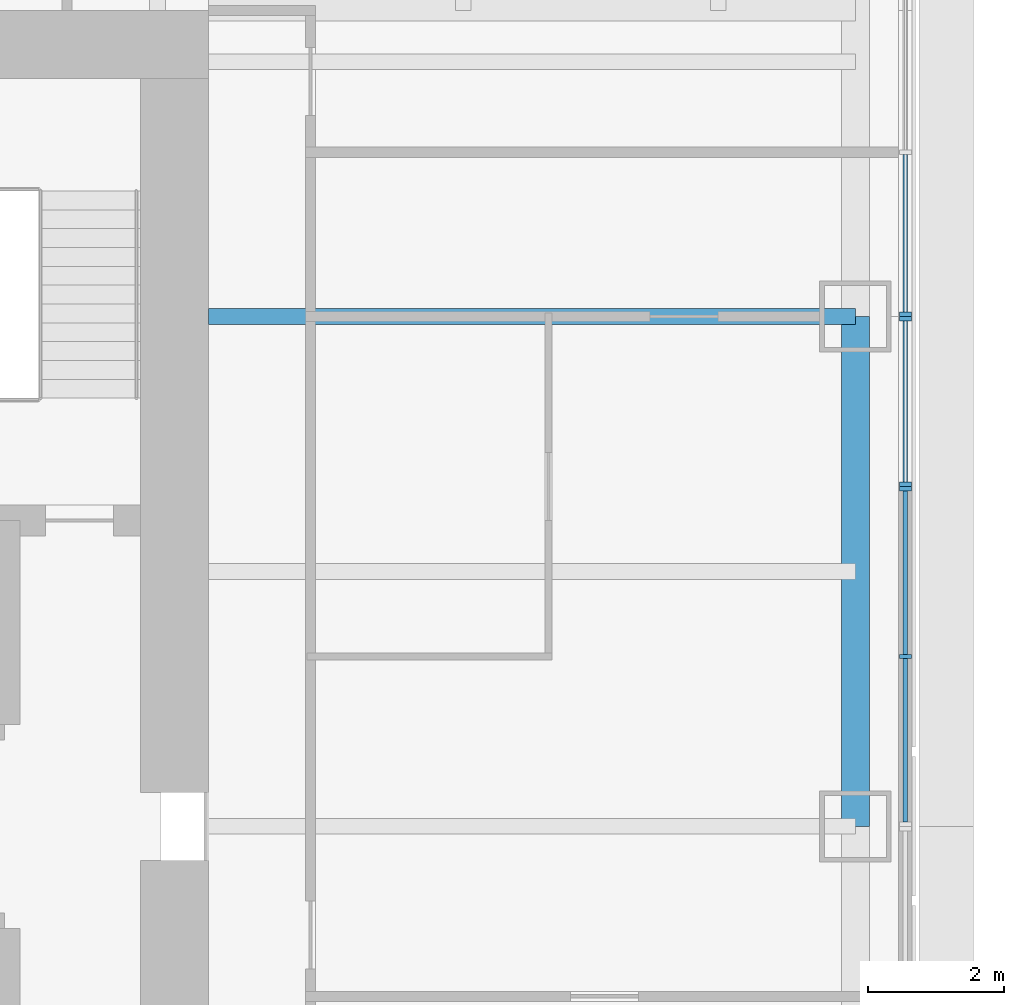
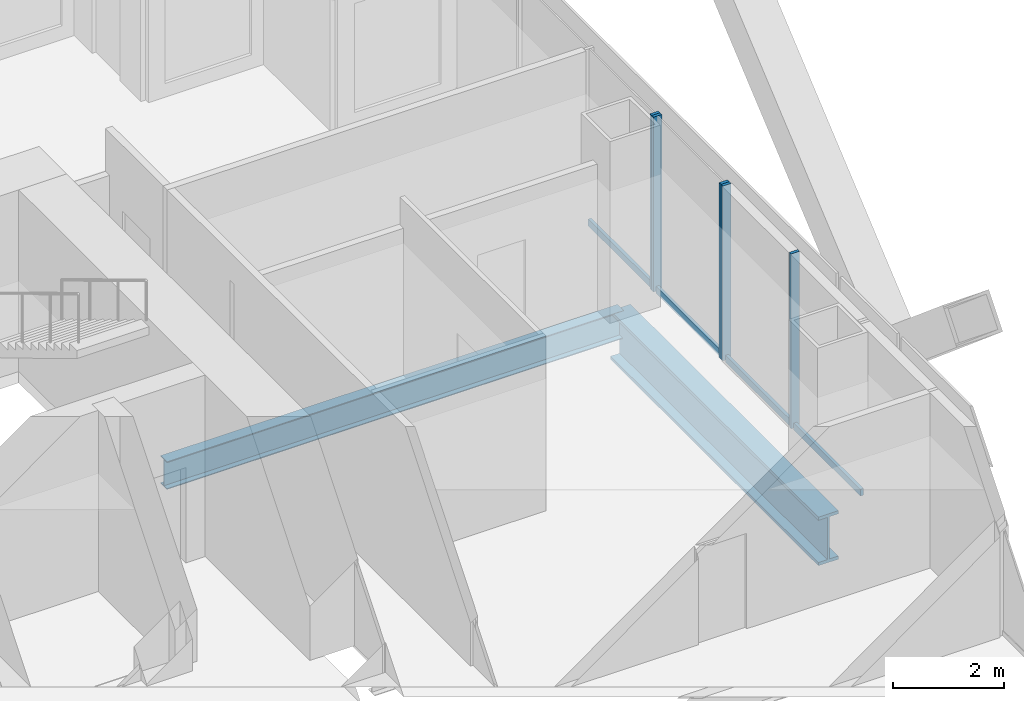
# One storey, part 8 of 19: 9 members, 2 beams, 3 elements without a shape of their own.
"""IFC4 building model written with IfcOpenShell, lengths in metres."""

from ifc_helpers import new_model, si_unit, direction, frame, origin, origin_2d, place, context, subcontext, project, spatial, rectangle, i_section, extrude, material, material_profile, profile_set, type_object, element, aggregate, save


model = new_model("IFC4")

# Units and contexts
model_context = context("Model", 3, precision=1e-05, world=origin(), true_north=direction((0.0, 1.0)))
body_context = subcontext(model_context, "Body", "Model", "MODEL_VIEW")
ifc_project = project(units=[si_unit("LENGTHUNIT", "METRE"), si_unit("AREAUNIT", "SQUARE_METRE"), si_unit("VOLUMEUNIT", "CUBIC_METRE"), si_unit("PLANEANGLEUNIT", "RADIAN"), si_unit("MASSUNIT", "GRAM", prefix="KILO")], contexts=[model_context])

# Site, building, storey
site_placement = place(None, origin())
site = spatial("IfcSite", under=ifc_project, at=site_placement, CompositionType="ELEMENT")
building_placement = place(site_placement, origin())
building = spatial("IfcBuilding", under=site, at=building_placement, Name="Tarangal Relay Tower", CompositionType="ELEMENT")
storey_placement = place(building_placement, frame((0.0, 0.0, 193.89990234375)))
storey = spatial("IfcBuildingStorey", under=building, at=storey_placement, Name="L40", CompositionType="ELEMENT", Elevation=193.89990234375)

# Beams
ifc_material_1 = material(Name="Steel ASTM A992", Category="steel")
ifc_material_profile_1 = material_profile(ifc_material_1, i_section(OverallWidth=0.41650390625, OverallDepth=1.0693359375, WebThickness=0.0390625, FlangeThickness=0.070068359375, at=origin_2d()), Name="W40X503")
ifc_profile_set_1 = profile_set([ifc_material_profile_1], Name="Steel ASTM A992")
beam_type_1 = type_object("IfcBeamType", Name="Edge girder W40X503", PredefinedType="SPANDREL", material=ifc_profile_set_1)
beam_1_placement = place(storey_placement, frame((21.514892578125, 7.5, -0.6845703125), z_axis=(0.0, -1.0, 0.0), x_axis=(1.0, 0.0, 0.0)))
element("IfcBeam", 1, at=beam_1_placement, inside=storey, type_object=beam_type_1, Name="Edge girder EG8 E L40", PredefinedType="SPANDREL", context=body_context, shape_type="SweptSolid", body=[
    extrude(i_section(OverallWidth=0.41650390625, OverallDepth=1.0693359375, WebThickness=0.0390625, FlangeThickness=0.070068359375, at=origin_2d()), origin(), (0.0, 0.0, 1.0), 7.5),
])
ifc_material_profile_2 = material_profile(ifc_material_1, i_section(OverallWidth=0.22900390625, OverallDepth=0.612060546875, WebThickness=0.011962890625, FlangeThickness=0.01953125, at=origin_2d()), Name="W24X84")
ifc_profile_set_2 = profile_set([ifc_material_profile_2], Name="Steel ASTM A992")
beam_type_2 = type_object("IfcBeamType", Name="Floor beam W24X84", PredefinedType="BEAM", material=ifc_profile_set_2)
beam_2_placement = place(storey_placement, frame((12.0, 7.5, -0.455810546875), z_axis=(1.0, 0.0, 0.0), x_axis=(0.0, 1.0, 0.0)))
element("IfcBeam", 2, at=beam_2_placement, inside=storey, type_object=beam_type_2, Name="Floor beam RB12 E L40", PredefinedType="BEAM", context=body_context, shape_type="SweptSolid", body=[
    extrude(i_section(OverallWidth=0.22900390625, OverallDepth=0.612060546875, WebThickness=0.011962890625, FlangeThickness=0.01953125, at=origin_2d()), origin(), (0.0, 0.0, 1.0), 9.514892578125),
])

# Curtain wall, member
ifc_material_2 = material(Name="Unitised curtain wall, dark glass and black aluminium", Category="aluminium")
curtain_wall_type_1 = type_object("IfcCurtainWallType", Name="Curtain wall CW-A", PredefinedType="USERDEFINED", material=ifc_material_2)
curtain_wall_1_placement = place(storey_placement, origin())
curtain_wall_1 = element("IfcCurtainWall", 3, at=curtain_wall_1_placement, inside=storey, type_object=curtain_wall_type_1, Name="Curtain wall CW-A E facade L40", ObjectType="UNITISED CURTAIN WALL", PredefinedType="USERDEFINED")
ifc_material_3 = material(Name="Black anodised aluminium mullion", Category="aluminium")
ifc_material_profile_3 = material_profile(ifc_material_3, rectangle(XDim=0.175048828125, YDim=0.06494140625, at=origin_2d()), Name="CW-AM 65X175")
ifc_profile_set_3 = profile_set([ifc_material_profile_3], Name="Black anodised aluminium mullion")
member_type_1 = type_object("IfcMemberType", Name="Mullion CW-A 65 x 175", PredefinedType="MULLION", material=ifc_profile_set_3)
member_1_placement = place(storey_placement, frame((22.25, 7.532470703125, 0.0), z_axis=(0.0, 0.0, 1.0), x_axis=(1.0, 0.0, 0.0)))
member_1 = element("IfcMember", 4, at=member_1_placement, type_object=member_type_1, Name="CW-A mullion 4", PredefinedType="MULLION", context=body_context, shape_type="SweptSolid", body=[
    extrude(rectangle(XDim=0.175048828125, YDim=0.06494140625, at=origin_2d()), origin(), (0.0, 0.0, 1.0), 3.85009765625),
])

# Curtain wall, members
curtain_wall_2_placement = place(storey_placement, origin())
curtain_wall_2 = element("IfcCurtainWall", 5, at=curtain_wall_2_placement, inside=storey, type_object=curtain_wall_type_1, Name="Curtain wall CW-A E facade L40", ObjectType="UNITISED CURTAIN WALL", PredefinedType="USERDEFINED")
member_2_placement = place(storey_placement, frame((22.25, 7.467529296875, 0.0), z_axis=(0.0, 0.0, 1.0), x_axis=(1.0, 0.0, 0.0)))
member_2 = element("IfcMember", 6, at=member_2_placement, type_object=member_type_1, Name="CW-A mullion 1", PredefinedType="MULLION", context=body_context, shape_type="SweptSolid", body=[
    extrude(rectangle(XDim=0.175048828125, YDim=0.06494140625, at=origin_2d()), origin(), (0.0, 0.0, 1.0), 3.85009765625),
])
member_3_placement = place(storey_placement, frame((22.25, 5.032470703125, 0.0), z_axis=(0.0, 0.0, 1.0), x_axis=(1.0, 0.0, 0.0)))
member_3 = element("IfcMember", 7, at=member_3_placement, type_object=member_type_1, Name="CW-A mullion 2", PredefinedType="MULLION", context=body_context, shape_type="SweptSolid", body=[
    extrude(rectangle(XDim=0.175048828125, YDim=0.06494140625, at=origin_2d()), origin(), (0.0, 0.0, 1.0), 3.85009765625),
])

ifc_material_4 = material(Name="Unitised curtain wall frame, black aluminium, with metal clad infill walls", Category="aluminium")
curtain_wall_type_2 = type_object("IfcCurtainWallType", Name="Curtain wall CW-AO", PredefinedType="USERDEFINED", material=ifc_material_4)
curtain_wall_3_placement = place(storey_placement, origin())
curtain_wall_3 = element("IfcCurtainWall", 8, at=curtain_wall_3_placement, inside=storey, type_object=curtain_wall_type_2, Name="Curtain wall CW-AO E facade L40", ObjectType="UNITISED CURTAIN WALL", PredefinedType="USERDEFINED")
ifc_material_profile_4 = material_profile(ifc_material_3, rectangle(XDim=0.175048828125, YDim=0.06494140625, at=origin_2d()), Name="CW-AOM 65X175")
ifc_profile_set_4 = profile_set([ifc_material_profile_4], Name="Black anodised aluminium mullion")
member_type_2 = type_object("IfcMemberType", Name="Mullion CW-AO 65 x 175", PredefinedType="MULLION", material=ifc_profile_set_4)
member_4_placement = place(storey_placement, frame((22.25, 4.967529296875, 0.0), z_axis=(0.0, 0.0, 1.0), x_axis=(1.0, 0.0, 0.0)))
member_4 = element("IfcMember", 9, at=member_4_placement, type_object=member_type_2, Name="CW-AO mullion 1", PredefinedType="MULLION", context=body_context, shape_type="SweptSolid", body=[
    extrude(rectangle(XDim=0.175048828125, YDim=0.06494140625, at=origin_2d()), origin(), (0.0, 0.0, 1.0), 3.85009765625),
])
member_5_placement = place(storey_placement, frame((22.25, 2.5, 0.0), z_axis=(0.0, 0.0, 1.0), x_axis=(1.0, 0.0, 0.0)))
member_5 = element("IfcMember", 10, at=member_5_placement, type_object=member_type_2, Name="CW-AO mullion 2", PredefinedType="MULLION", context=body_context, shape_type="SweptSolid", body=[
    extrude(rectangle(XDim=0.175048828125, YDim=0.06494140625, at=origin_2d()), origin(), (0.0, 0.0, 1.0), 3.85009765625),
])

# Member
ifc_material_5 = material(Name="Black anodised aluminium transom", Category="aluminium")
ifc_material_profile_5 = material_profile(ifc_material_5, rectangle(XDim=0.06494140625, YDim=0.14990234375, at=origin_2d()), Name="CW-AT 65X150")
ifc_profile_set_5 = profile_set([ifc_material_profile_5], Name="Black anodised aluminium transom")
member_type_3 = type_object("IfcMemberType", Name="Transom CW-A 65 x 150", PredefinedType="USERDEFINED", material=ifc_profile_set_5)
member_6_placement = place(storey_placement, frame((22.25, 9.88427734375, 0.03271484375), z_axis=(0.0, -1.0, 0.0), x_axis=(1.0, 0.0, 0.0)))
member_6 = element("IfcMember", 11, at=member_6_placement, type_object=member_type_3, Name="CW-A transom 3.1", ObjectType="TRANSOM", PredefinedType="USERDEFINED", context=body_context, shape_type="SweptSolid", body=[
    extrude(rectangle(XDim=0.06494140625, YDim=0.14990234375, at=origin_2d()), origin(), (0.0, 0.0, 1.0), 2.3193359375),
])

aggregate(curtain_wall_1, [member_1, member_6])

member_7_placement = place(storey_placement, frame((22.25, 7.43505859375, 0.03271484375), z_axis=(0.0, -1.0, 0.0), x_axis=(1.0, 0.0, 0.0)))
member_7 = element("IfcMember", 12, at=member_7_placement, type_object=member_type_3, Name="CW-A transom 1.1", ObjectType="TRANSOM", PredefinedType="USERDEFINED", context=body_context, shape_type="SweptSolid", body=[
    extrude(rectangle(XDim=0.06494140625, YDim=0.14990234375, at=origin_2d()), origin(), (0.0, 0.0, 1.0), 2.3701171875),
])

aggregate(curtain_wall_2, [member_2, member_3, member_7])

ifc_material_profile_6 = material_profile(ifc_material_5, rectangle(XDim=0.06494140625, YDim=0.14990234375, at=origin_2d()), Name="CW-AOT 65X150")
ifc_profile_set_6 = profile_set([ifc_material_profile_6], Name="Black anodised aluminium transom")
member_type_4 = type_object("IfcMemberType", Name="Transom CW-AO 65 x 150", PredefinedType="USERDEFINED", material=ifc_profile_set_6)
member_8_placement = place(storey_placement, frame((22.25, 4.93505859375, 0.03271484375), z_axis=(0.0, -1.0, 0.0), x_axis=(1.0, 0.0, 0.0)))
member_8 = element("IfcMember", 13, at=member_8_placement, type_object=member_type_4, Name="CW-AO transom 1.1", ObjectType="TRANSOM", PredefinedType="USERDEFINED", context=body_context, shape_type="SweptSolid", body=[
    extrude(rectangle(XDim=0.06494140625, YDim=0.14990234375, at=origin_2d()), origin(), (0.0, 0.0, 1.0), 2.402587890625),
])

member_9_placement = place(storey_placement, frame((22.25, 2.467529296875, 0.03271484375), z_axis=(0.0, -1.0, 0.0), x_axis=(1.0, 0.0, 0.0)))
member_9 = element("IfcMember", 14, at=member_9_placement, type_object=member_type_4, Name="CW-AO transom 2.1", ObjectType="TRANSOM", PredefinedType="USERDEFINED", context=body_context, shape_type="SweptSolid", body=[
    extrude(rectangle(XDim=0.06494140625, YDim=0.14990234375, at=origin_2d()), origin(), (0.0, 0.0, 1.0), 2.402587890625),
])

aggregate(curtain_wall_3, [member_4, member_5, member_8, member_9])

save(model, "model.ifc")
